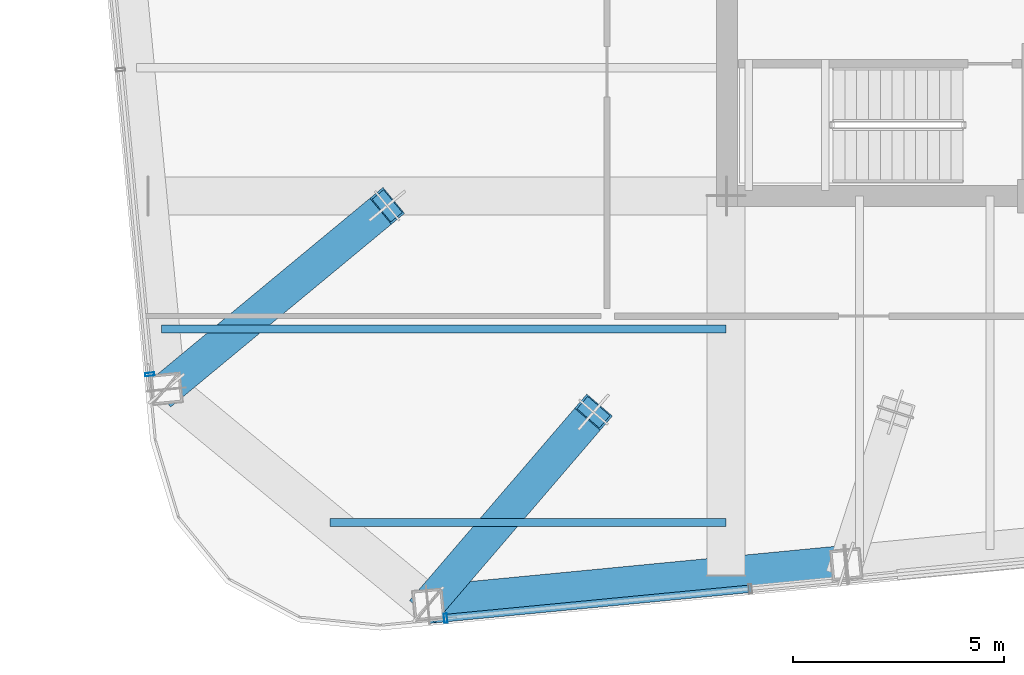
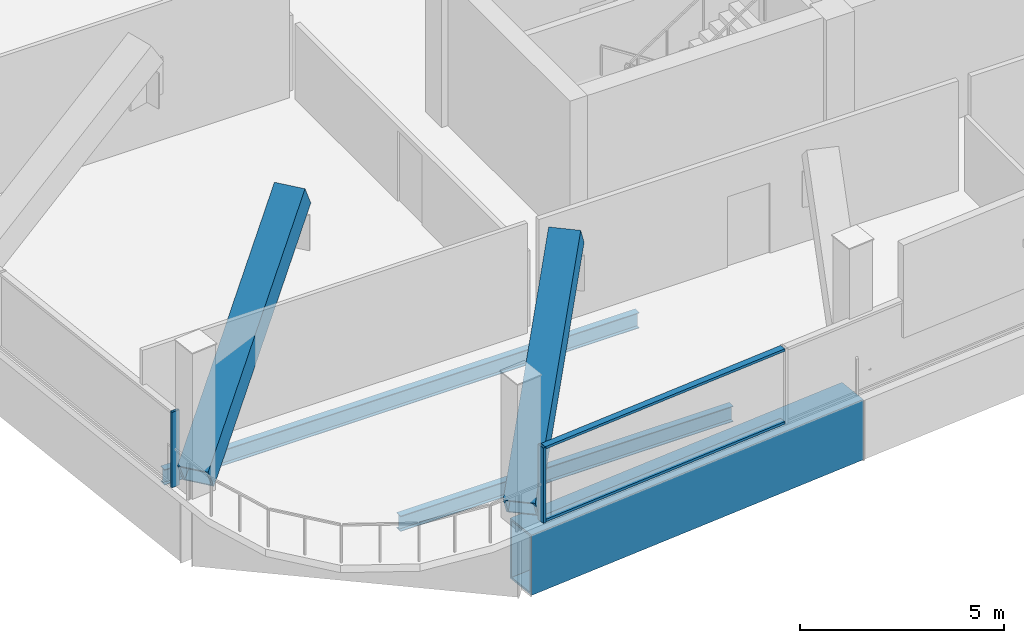
# One storey, part 2 of 22: 6 members, 3 beams, 2 elements without a shape of their own.
"""IFC4 building model written with IfcOpenShell, lengths in metres."""

from ifc_helpers import new_model, si_unit, direction, frame, origin, origin_2d, place, context, subcontext, project, spatial, hollow_rectangle, i_section, extrude, material, layer, layer_set, material_profile, profile_set, type_object, element, aggregate, save


model = new_model("IFC4")

# Units and contexts
model_context = context("Model", 3, precision=1e-05, world=origin(), true_north=direction((0.0, 1.0)))
body_context = subcontext(model_context, "Body", "Model", "MODEL_VIEW")
ifc_project = project(units=[si_unit("LENGTHUNIT", "METRE"), si_unit("AREAUNIT", "SQUARE_METRE"), si_unit("VOLUMEUNIT", "CUBIC_METRE"), si_unit("PLANEANGLEUNIT", "RADIAN"), si_unit("MASSUNIT", "GRAM", prefix="KILO")], contexts=[model_context])

# Site, building, storey
site_placement = place(None, origin())
site = spatial("IfcSite", under=ifc_project, at=site_placement, CompositionType="ELEMENT")
building_placement = place(site_placement, origin())
building = spatial("IfcBuilding", under=site, at=building_placement, Name="Qhalaya Broadcast Tower", CompositionType="ELEMENT")
storey_placement = place(building_placement, frame((0.0, 0.0, 183.60009765625)))
storey = spatial("IfcBuildingStorey", under=building, at=storey_placement, Name="L54", CompositionType="ELEMENT", Elevation=183.60009765625)

# Beams
ifc_material_1 = material(Name="Structural Steel ASTM A572 Grade 50", Category="steel")
ifc_material_profile_1 = material_profile(ifc_material_1, hollow_rectangle(XDim=0.89990234375, YDim=1.800048828125, WallThickness=0.06005859375, at=origin_2d()), Name="BOX 900x1800x60")
ifc_profile_set_1 = profile_set([ifc_material_profile_1], Name="Structural Steel ASTM A572 Grade 50")
beam_type_1 = type_object("IfcBeamType", Name="Block Cantilever Transfer Box Girder TG1", PredefinedType="USERDEFINED", material=ifc_profile_set_1)
beam_1_placement = place(storey_placement, frame((-16.44189453125, -18.44775390625, -1.1201171875), z_axis=(0.995397846936, 0.09582862993, 0.0), x_axis=(-0.09582862993, 0.995397846936, 0.0)))
element("IfcBeam", 1, at=beam_1_placement, inside=storey, type_object=beam_type_1, Name="L54 TG1 L54-SPR-01", ObjectType="GIRDER", PredefinedType="USERDEFINED", context=body_context, shape_type="SweptSolid", body=[
    extrude(hollow_rectangle(XDim=0.89990234375, YDim=1.800048828125, WallThickness=0.06005859375, at=origin_2d()), origin(), (0.0, 0.0, 1.0), 9.966552734375),
])
ifc_material_2 = material(Name="Structural Steel ASTM A992 Grade 50", Category="steel")
ifc_material_profile_2 = material_profile(ifc_material_2, i_section(OverallWidth=0.19189453125, OverallDepth=0.462890625, WebThickness=0.010498046875, FlangeThickness=0.017578125, at=origin_2d()), Name="W18X60")
ifc_profile_set_2 = profile_set([ifc_material_profile_2], Name="Structural Steel ASTM A992 Grade 50")
beam_type_2 = type_object("IfcBeamType", Name="Composite Floor Joist J03", PredefinedType="JOIST", material=ifc_profile_set_2)
beam_2_placement = place(storey_placement, frame((-18.7734375, -16.5, -0.45166015625), z_axis=(1.0, 0.0, 0.0), x_axis=(0.0, 1.0, 0.0)))
element("IfcBeam", 2, at=beam_2_placement, inside=storey, type_object=beam_type_2, Name="L54 J03 L54-JWE1W-1", PredefinedType="JOIST", context=body_context, shape_type="SweptSolid", body=[
    extrude(i_section(OverallWidth=0.19189453125, OverallDepth=0.462890625, WebThickness=0.010498046875, FlangeThickness=0.017578125, at=origin_2d()), origin(), (0.0, 0.0, 1.0), 9.3984375),
])
beam_3_placement = place(storey_placement, frame((-22.77880859375, -11.89990234375, -0.45166015625), z_axis=(1.0, 0.0, 0.0), x_axis=(0.0, 1.0, 0.0)))
element("IfcBeam", 3, at=beam_3_placement, inside=storey, type_object=beam_type_2, Name="L54 J03 L54-JWE2W-1", PredefinedType="JOIST", context=body_context, shape_type="SweptSolid", body=[
    extrude(i_section(OverallWidth=0.19189453125, OverallDepth=0.462890625, WebThickness=0.010498046875, FlangeThickness=0.017578125, at=origin_2d()), origin(), (0.0, 0.0, 1.0), 13.40380859375),
])

# Curtain wall, member
ifc_material_3 = material(Name="Fired Architectural Terracotta", Category="masonry")
ifc_layer = layer(ifc_material_3, 0.219970703125, Name="Fired Architectural Terracotta")
ifc_layer_set = layer_set([ifc_layer], Name="Fired Architectural Terracotta")
curtain_wall_type = type_object("IfcCurtainWallType", Name="Block-Cap Unitised Terracotta Spandrel Wall CW-07", PredefinedType="NOTDEFINED", material=ifc_layer_set)
curtain_wall_1_placement = place(storey_placement, origin())
curtain_wall_1 = element("IfcCurtainWall", 4, at=curtain_wall_1_placement, inside=storey, type_object=curtain_wall_type, Name="L54 Unitised Curtain Wall L54-CW-S", PredefinedType="NOTDEFINED")
ifc_material_4 = material(Name="Anodised Aluminium 6063-T6", Category="aluminium")
ifc_material_profile_3 = material_profile(ifc_material_4, hollow_rectangle(XDim=0.074951171875, YDim=0.219970703125, WallThickness=0.00390625, at=origin_2d()), Name="ALU-MUL 75x220x4")
ifc_profile_set_3 = profile_set([ifc_material_profile_3], Name="Anodised Aluminium 6063-T6")
member_type_1 = type_object("IfcMemberType", Name="Unitised Curtain-Wall Mullion M01", PredefinedType="MULLION", material=ifc_profile_set_3)
member_1_placement = place(storey_placement, frame((-16.03369140625, -18.770263671875, 0.0), z_axis=(0.0, 0.0, 1.0), x_axis=(-0.995396167806, -0.095846069906, 0.0)))
member_1 = element("IfcMember", 5, at=member_1_placement, type_object=member_type_1, Name="CW-07 mullion 5", PredefinedType="MULLION", context=body_context, shape_type="SweptSolid", body=[
    extrude(hollow_rectangle(XDim=0.074951171875, YDim=0.219970703125, WallThickness=0.00390625, at=origin_2d()), origin(), (0.0, 0.0, 1.0), 2.25),
])

curtain_wall_2_placement = place(storey_placement, origin())
curtain_wall_2 = element("IfcCurtainWall", 6, at=curtain_wall_2_placement, inside=storey, type_object=curtain_wall_type, Name="L54 Unitised Curtain Wall L54-CW-W", PredefinedType="NOTDEFINED")
member_2_placement = place(storey_placement, frame((-23.056396484375, -12.98095703125, 0.0), z_axis=(0.0, 0.0, 1.0), x_axis=(-0.095846069906, 0.995396167806, 0.0)))
member_2 = element("IfcMember", 7, at=member_2_placement, type_object=member_type_1, Name="CW-07 mullion 1", PredefinedType="MULLION", context=body_context, shape_type="SweptSolid", body=[
    extrude(hollow_rectangle(XDim=0.074951171875, YDim=0.219970703125, WallThickness=0.00390625, at=origin_2d()), origin(), (0.0, 0.0, 1.0), 2.25),
])
aggregate(curtain_wall_2, [member_2])

# Member
ifc_material_profile_4 = material_profile(ifc_material_4, hollow_rectangle(XDim=0.074951171875, YDim=0.179931640625, WallThickness=0.00390625, at=origin_2d()), Name="ALU-TRN 75x180x4")
ifc_profile_set_4 = profile_set([ifc_material_profile_4], Name="Anodised Aluminium 6063-T6")
member_type_2 = type_object("IfcMemberType", Name="Unitised Curtain-Wall Transom T01", PredefinedType="USERDEFINED", material=ifc_profile_set_4)
member_3_placement = place(storey_placement, frame((-8.8359375, -18.0771484375, 0.037353515625), z_axis=(-0.99539639748, -0.095843684629, 0.0), x_axis=(0.0, 0.0, 1.0)))
member_3 = element("IfcMember", 8, at=member_3_placement, type_object=member_type_2, Name="CW-07 transom 4.1", ObjectType="TRANSOM", PredefinedType="USERDEFINED", context=body_context, shape_type="SweptSolid", body=[
    extrude(hollow_rectangle(XDim=0.074951171875, YDim=0.179931640625, WallThickness=0.00390625, at=origin_2d()), origin(), (0.0, 0.0, 1.0), 7.193603515625),
])

member_4_placement = place(storey_placement, frame((-8.8359375, -18.0771484375, 2.21240234375), z_axis=(-0.99539639748, -0.095843684629, 0.0), x_axis=(0.0, 0.0, 1.0)))
member_4 = element("IfcMember", 9, at=member_4_placement, type_object=member_type_2, Name="CW-07 transom 4.2", ObjectType="TRANSOM", PredefinedType="USERDEFINED", context=body_context, shape_type="SweptSolid", body=[
    extrude(hollow_rectangle(XDim=0.074951171875, YDim=0.179931640625, WallThickness=0.00390625, at=origin_2d()), origin(), (0.0, 0.0, 1.0), 7.193603515625),
])

aggregate(curtain_wall_1, [member_1, member_3, member_4])

# Members
ifc_material_profile_5 = material_profile(ifc_material_1, hollow_rectangle(XDim=0.800048828125, YDim=0.800048828125, WallThickness=0.050048828125, at=origin_2d()), Name="BOX 800x800x50")
ifc_profile_set_5 = profile_set([ifc_material_profile_5], Name="Structural Steel ASTM A572 Grade 50")
member_type_3 = type_object("IfcMemberType", Name="Upper Exoskeleton Transfer Strut RK2", PredefinedType="BRACE", material=ifc_profile_set_5)
member_5_placement = place(storey_placement, frame((-16.44189453125, -18.44775390625, 0.343017578125), z_axis=(0.542297461756, 0.631622603925, 0.554045439638), x_axis=(-0.758718200786, 0.651418983294, 0.0)))
element("IfcMember", 10, at=member_5_placement, inside=storey, type_object=member_type_3, Name="L54 Inclined Exoskeleton Transfer Strut 01", PredefinedType="BRACE", context=body_context, shape_type="SweptSolid", body=[
    extrude(hollow_rectangle(XDim=0.800048828125, YDim=0.800048828125, WallThickness=0.050048828125, at=origin_2d()), origin(), (0.0, 0.0, 1.0), 7.23193359375),
])
member_6_placement = place(storey_placement, frame((-22.662109375, -13.3203125, 0.35498046875), z_axis=(0.664270770988, 0.549990954108, 0.506215658796), x_axis=(-0.637739490767, 0.770252128797, 0.0)))
element("IfcMember", 11, at=member_6_placement, inside=storey, type_object=member_type_3, Name="L54 Inclined Exoskeleton Transfer Strut 16", PredefinedType="BRACE", context=body_context, shape_type="SweptSolid", body=[
    extrude(hollow_rectangle(XDim=0.800048828125, YDim=0.800048828125, WallThickness=0.050048828125, at=origin_2d()), origin(), (0.0, 0.0, 1.0), 7.8916015625),
])

save(model, "model.ifc")
